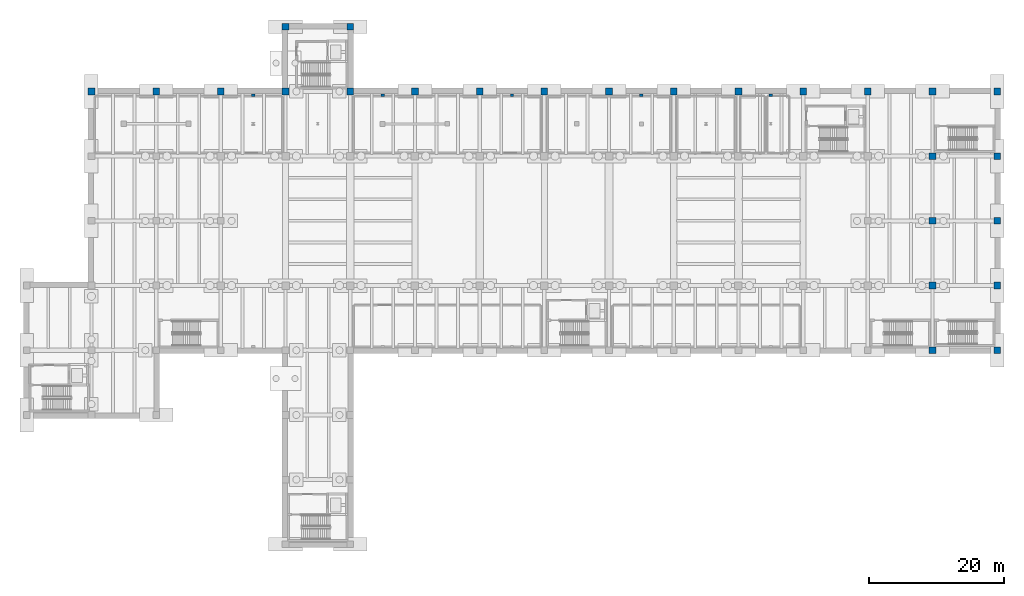
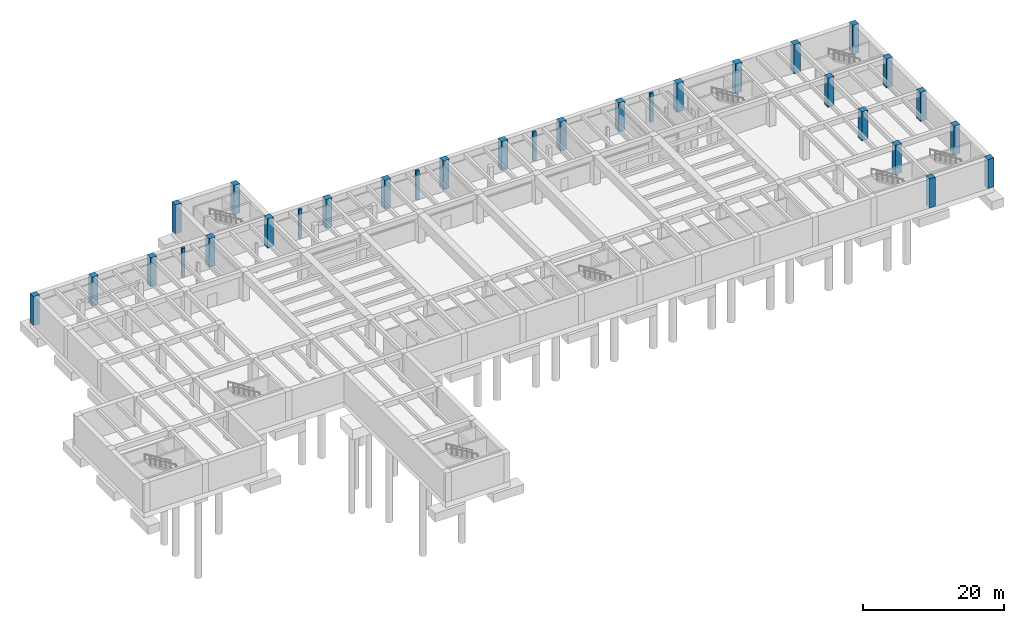
# One storey, part 6 of 24: 30 columns.
"""IFC4 building model written with IfcOpenShell, lengths in metres."""

from ifc_helpers import new_model, si_unit, direction, frame, origin, origin_2d, place, context, subcontext, project, spatial, rectangle, extrude, material, material_profile, profile_set, type_object, element, save


model = new_model("IFC4")

# Units and contexts
model_context = context("Model", 3, precision=1e-05, world=origin(), true_north=direction((0.0, 1.0)))
body_context = subcontext(model_context, "Body", "Model", "MODEL_VIEW")
ifc_project = project(units=[si_unit("LENGTHUNIT", "METRE"), si_unit("AREAUNIT", "SQUARE_METRE"), si_unit("VOLUMEUNIT", "CUBIC_METRE"), si_unit("PLANEANGLEUNIT", "RADIAN"), si_unit("MASSUNIT", "GRAM", prefix="KILO")], contexts=[model_context])

# Site, building, storey
site_placement = place(None, origin())
site = spatial("IfcSite", under=ifc_project, at=site_placement, CompositionType="ELEMENT")
building_placement = place(site_placement, origin())
building = spatial("IfcBuilding", under=site, at=building_placement, Name="Coralgate Yard Interchange", CompositionType="ELEMENT")
storey_placement = place(building_placement, frame((0.0, 0.0, -10.800048828125)))
storey = spatial("IfcBuildingStorey", under=building, at=storey_placement, Name="B2", CompositionType="ELEMENT", Elevation=-10.800048828125)

# Columns
ifc_material = material(Name="Concrete C40/50", Category="concrete")
ifc_material_profile_1 = material_profile(ifc_material, rectangle(XDim=1.0, YDim=1.0, at=origin_2d()), Name="RC 1000x1000")
ifc_profile_set_1 = profile_set([ifc_material_profile_1], Name="Concrete C40/50")
column_type_1 = type_object("IfcColumnType", Name="COL-CC-2", PredefinedType="COLUMN", material=ifc_profile_set_1)
for number, where, z_axis, x_axis, name in (
    (1, (19.199951171875, 76.800048828125, 0.0), (0.0, 0.0, 1.0), (1.0, 0.0, 0.0), "B2 structural column 2-8"),
    (2, (28.800048828125, 76.800048828125, 0.0), (0.0, 0.0, 1.0), (1.0, 0.0, 0.0), "B2 structural column 3-8"),
    (3, (38.39990234375, 76.800048828125, 0.0), (0.0, 0.0, 1.0), (1.0, 0.0, 0.0), "B2 structural column 4-8"),
    (4, (48.0, 76.800048828125, 0.0), (0.0, 0.0, 1.0), (1.0, 0.0, 0.0), "B2 structural column 5-8"),
    (5, (48.0, 86.39990234375, 0.0), (0.0, 0.0, 1.0), (1.0, 0.0, 0.0), "B2 structural column 5-9"),
    (6, (57.60009765625, 76.800048828125, 0.0), (0.0, 0.0, 1.0), (1.0, 0.0, 0.0), "B2 structural column 6-8"),
    (7, (57.60009765625, 86.39990234375, 0.0), (0.0, 0.0, 1.0), (1.0, 0.0, 0.0), "B2 structural column 6-9"),
    (8, (67.199951171875, 76.800048828125, 0.0), (0.0, 0.0, 1.0), (1.0, 0.0, 0.0), "B2 structural column 7-8"),
    (9, (76.800048828125, 76.800048828125, 0.0), (0.0, 0.0, 1.0), (1.0, 0.0, 0.0), "B2 structural column 8-8"),
    (10, (86.39990234375, 76.800048828125, 0.0), (0.0, 0.0, 1.0), (1.0, 0.0, 0.0), "B2 structural column 9-8"),
    (11, (96.0, 76.800048828125, 0.0), (0.0, 0.0, 1.0), (1.0, 0.0, 0.0), "B2 structural column 10-8"),
    (12, (105.60009765625, 76.800048828125, 0.0), (0.0, 0.0, 1.0), (1.0, 0.0, 0.0), "B2 structural column 11-8"),
    (13, (115.199951171875, 76.800048828125, 0.0), (0.0, 0.0, 1.0), (1.0, 0.0, 0.0), "B2 structural column 12-8"),
    (14, (124.800048828125, 76.800048828125, 0.0), (0.0, 0.0, 1.0), (1.0, 0.0, 0.0), "B2 structural column 13-8"),
    (15, (134.39990234375, 76.800048828125, 0.0), (0.0, 0.0, 1.0), (1.0, 0.0, 0.0), "B2 structural column 14-8"),
    (16, (144.0, 38.39990234375, 0.0), (0.0, 0.0, 1.0), (1.0, 0.0, 0.0), "B2 structural column 15-4"),
    (17, (144.0, 48.0, 0.0), (0.0, 0.0, 1.0), (1.0, 0.0, 0.0), "B2 structural column 15-5"),
    (18, (144.0, 57.60009765625, 0.0), (0.0, 0.0, 1.0), (1.0, 0.0, 0.0), "B2 structural column 15-6"),
    (19, (144.0, 67.199951171875, 0.0), (0.0, 0.0, 1.0), (1.0, 0.0, 0.0), "B2 structural column 15-7"),
    (20, (144.0, 76.800048828125, 0.0), (0.0, 0.0, 1.0), (1.0, 0.0, 0.0), "B2 structural column 15-8"),
    (21, (153.60009765625, 38.39990234375, 0.0), (0.0, 0.0, 1.0), (1.0, 0.0, 0.0), "B2 structural column 16-4"),
    (22, (153.60009765625, 48.0, 0.0), (0.0, 0.0, 1.0), (1.0, 0.0, 0.0), "B2 structural column 16-5"),
    (23, (153.60009765625, 57.60009765625, 0.0), (0.0, 0.0, 1.0), (1.0, 0.0, 0.0), "B2 structural column 16-6"),
    (24, (153.60009765625, 67.199951171875, 0.0), (0.0, 0.0, 1.0), (1.0, 0.0, 0.0), "B2 structural column 16-7"),
    (25, (153.60009765625, 76.800048828125, 0.0), (0.0, 0.0, 1.0), (1.0, 0.0, 0.0), "B2 structural column 16-8"),
):
    element("IfcColumn", number, at=place(storey_placement, frame(where, z_axis=z_axis, x_axis=x_axis)), inside=storey, type_object=column_type_1, Name=name, PredefinedType="COLUMN", context=body_context, shape_type="SweptSolid", body=[
        extrude(rectangle(XDim=1.0, YDim=1.0, at=origin_2d()), origin(), (0.0, 0.0, 1.0), 5.050048828125),
    ])
ifc_material_profile_2 = material_profile(ifc_material, rectangle(XDim=0.5, YDim=0.35009765625, at=origin_2d()), Name="RC 500x350")
ifc_profile_set_2 = profile_set([ifc_material_profile_2], Name="Concrete C40/50")
column_type_2 = type_object("IfcColumnType", Name="COL-CP-1", PredefinedType="PILASTER", material=ifc_profile_set_2)
for number, where, z_axis, x_axis, name in (
    (26, (43.199951171875, 76.25, 0.0), (0.0, 0.0, 1.0), (1.0, 0.0, 0.0), "B2 diaphragm wall pilaster N1"),
    (27, (62.39990234375, 76.25, 0.0), (0.0, 0.0, 1.0), (1.0, 0.0, 0.0), "B2 diaphragm wall pilaster N2"),
    (28, (81.60009765625, 76.25, 0.0), (0.0, 0.0, 1.0), (1.0, 0.0, 0.0), "B2 diaphragm wall pilaster N3"),
    (29, (100.800048828125, 76.25, 0.0), (0.0, 0.0, 1.0), (1.0, 0.0, 0.0), "B2 diaphragm wall pilaster N4"),
    (30, (120.0, 76.25, 0.0), (0.0, 0.0, 1.0), (1.0, 0.0, 0.0), "B2 diaphragm wall pilaster N5"),
):
    element("IfcColumn", number, at=place(storey_placement, frame(where, z_axis=z_axis, x_axis=x_axis)), inside=storey, type_object=column_type_2, Name=name, PredefinedType="PILASTER", context=body_context, shape_type="SweptSolid", body=[
        extrude(rectangle(XDim=0.5, YDim=0.35009765625, at=origin_2d()), origin(), (0.0, 0.0, 1.0), 5.050048828125),
    ])

save(model, "model.ifc")
